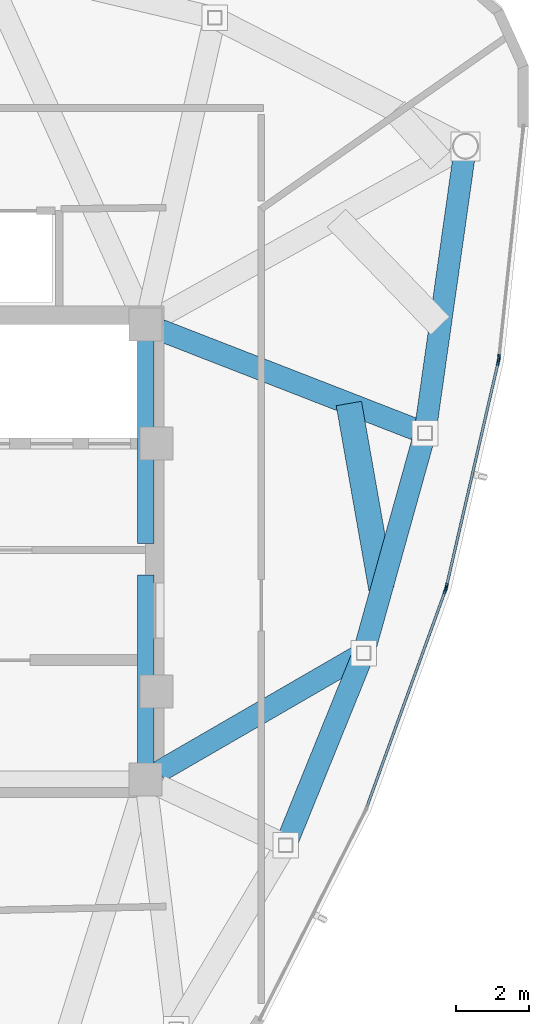
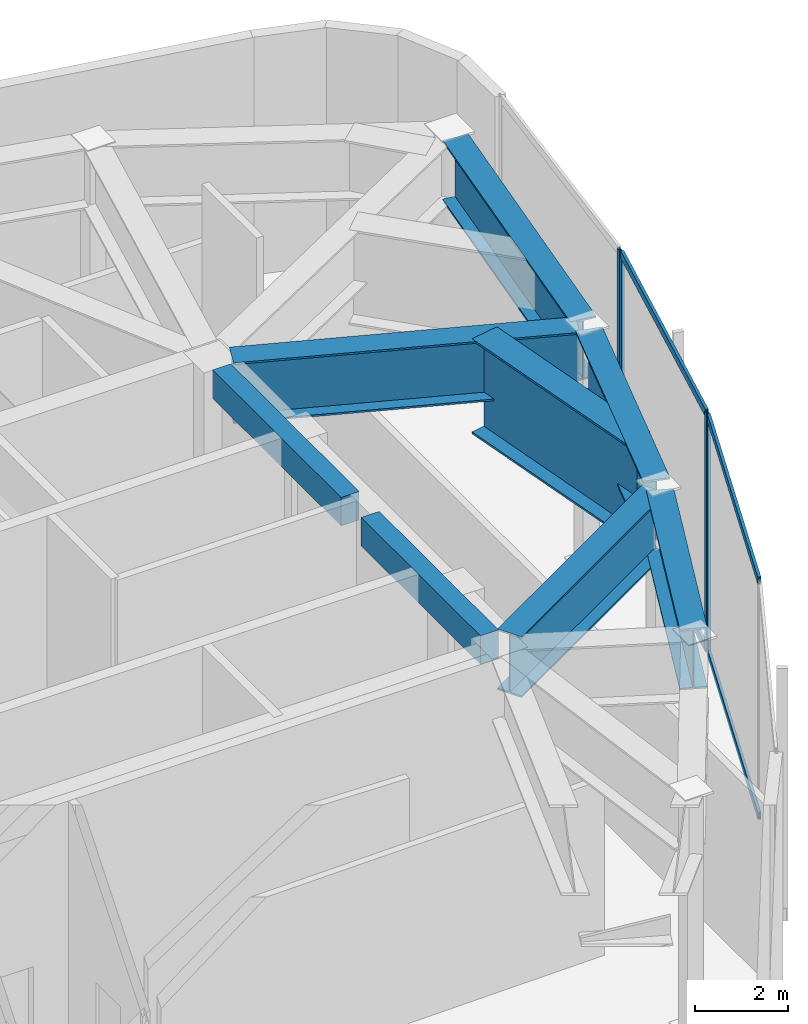
# One storey, part 4 of 13: 8 beams, 8 members, 3 elements without a shape of their own.
"""IFC4 building model written with IfcOpenShell, lengths in metres."""

import ifcopenshell
import ifcopenshell.guid

model = None  # the IFC model being written
_history = None  # IfcOwnerHistory: only IFC2X3 demands one
_inside = {}  # id of a spatial element -> (the spatial element, [elements in it])
_under = {}  # id of a project, library or spatial element -> (it, [spatial elements below it])
_declared = {}  # id of a project -> (the project, [libraries it declares])
_typed = {}  # id of a type object -> (the type object, [elements of that type])
_made_of = {}  # id of a material, layer set ... -> (it, [elements and type objects made of it])


def new_model(schema):
    """Start an empty IFC model of exactly this schema.

    Asked for "IFC4X3", IfcOpenShell would pick the latest addendum, in which some entities
    have other attributes; the version numbers below select the first issue.
    IFC2X3 requires an IfcOwnerHistory on every rooted entity: one is made here for all.
    """
    global model, _history
    if schema == "IFC4X3":
        model = ifcopenshell.file(schema_version=(4, 3, 0, 0))
    else:
        model = ifcopenshell.file(schema=schema)
    _inside.clear()
    _under.clear()
    _declared.clear()
    _typed.clear()
    _made_of.clear()
    _history = None
    if model.schema == "IFC2X3":
        org = make("IfcOrganization", Name="unknown")
        user = make(
            "IfcPersonAndOrganization",
            ThePerson=make("IfcPerson", FamilyName="unknown"),
            TheOrganization=org,
        )
        app = make(
            "IfcApplication",
            ApplicationDeveloper=org,
            Version="unknown",
            ApplicationFullName="unknown",
            ApplicationIdentifier="unknown",
        )
        _history = make(
            "IfcOwnerHistory",
            OwningUser=user,
            OwningApplication=app,
            ChangeAction="ADDED",
            CreationDate=0,
        )
    return model


def make(cls, **values):
    """One entity of the class cls with the attributes given. An attribute that is None is left unset."""
    return model.create_entity(
        cls, **{name: value for name, value in values.items() if value is not None}
    )


def rooted(cls, **values):
    """An entity with a GlobalId (a new one), such as an element, a storey or a relation."""
    return make(cls, GlobalId=ifcopenshell.guid.new(), OwnerHistory=_history, **values)


def si_unit(unit_type, name, prefix=None):
    """IfcSIUnit, for example si_unit("LENGTHUNIT", "METRE", prefix="MILLI")."""
    return make("IfcSIUnit", UnitType=unit_type, Prefix=prefix, Name=name)


def assignment(units):
    """IfcUnitAssignment: the units of a project."""
    return None if units is None else make("IfcUnitAssignment", Units=units)


def point(xyz):
    """IfcCartesianPoint."""
    return None if xyz is None else make("IfcCartesianPoint", Coordinates=xyz)


def direction(xyz):
    """IfcDirection."""
    return None if xyz is None else make("IfcDirection", DirectionRatios=xyz)


def frame(location, z_axis=None, x_axis=None):
    """IfcAxis2Placement3D, a coordinate frame: its origin and axes. An axis left out is left unset."""
    return make(
        "IfcAxis2Placement3D",
        Location=point(location),
        Axis=direction(z_axis),
        RefDirection=direction(x_axis),
    )


def frame_2d(location, x_axis=None):
    """IfcAxis2Placement2D, a coordinate frame in the plane: its origin and x axis."""
    return make(
        "IfcAxis2Placement2D", Location=point(location), RefDirection=direction(x_axis)
    )


def origin():
    """The frame at (0, 0, 0) with its axes left unset."""
    return frame((0.0, 0.0, 0.0))


def origin_2d():
    """The frame at (0, 0) in the plane with its x axis left unset."""
    return frame_2d((0.0, 0.0))


def place(relative_to, where):
    """IfcLocalPlacement: puts the frame where relative to a parent placement (None: the world)."""
    return make(
        "IfcLocalPlacement", PlacementRelTo=relative_to, RelativePlacement=where
    )


def context(
    kind, dimensions, precision=None, world=None, true_north=None, identifier=None
):
    """IfcGeometricRepresentationContext, for example the 3D "Model" context."""
    return make(
        "IfcGeometricRepresentationContext",
        ContextIdentifier=identifier,
        ContextType=kind,
        CoordinateSpaceDimension=dimensions,
        Precision=precision,
        WorldCoordinateSystem=world,
        TrueNorth=true_north,
    )


def subcontext(parent, identifier, kind, view, scale=None):
    """IfcGeometricRepresentationSubContext, for example "Body" below "Model"."""
    return make(
        "IfcGeometricRepresentationSubContext",
        ContextIdentifier=identifier,
        ContextType=kind,
        ParentContext=parent,
        TargetScale=scale,
        TargetView=view,
    )


def project(units=None, contexts=None):
    """IfcProject with its units and contexts."""
    return rooted(
        "IfcProject",
        Name="project",
        RepresentationContexts=contexts,
        UnitsInContext=assignment(units),
    )


def spatial(cls, under=None, at=None, **own):
    """A site, building, storey or space (cls), placed at a placement, below another one or the project."""
    s = rooted(cls, ObjectPlacement=at, **own)
    if under is not None:
        _under.setdefault(under.id(), (under, []))[1].append(s)
    return s


def profile(cls, at=None, kind="AREA", **sizes):
    """A parametric profile (cls). Its sizes go by their IFC names, for example OverallWidth=200.0."""
    return make(cls, ProfileType=kind, Position=at, **sizes)


def rectangle(**sizes):
    """IfcRectangleProfileDef."""
    return profile("IfcRectangleProfileDef", **sizes)


def hollow_rectangle(**sizes):
    """IfcRectangleHollowProfileDef."""
    return profile("IfcRectangleHollowProfileDef", **sizes)


def i_section(**sizes):
    """IfcIShapeProfileDef."""
    return profile("IfcIShapeProfileDef", **sizes)


def extrude(swept, where, along, depth):
    """IfcExtrudedAreaSolid: the profile swept, set in the frame where, extruded along a direction by depth."""
    return make(
        "IfcExtrudedAreaSolid",
        SweptArea=swept,
        Position=where,
        ExtrudedDirection=direction(along),
        Depth=depth,
    )


def shape(context_of_items, identifier, shape_type, items):
    """IfcShapeRepresentation: the items that make up one representation, for example the "Body"."""
    return make(
        "IfcShapeRepresentation",
        ContextOfItems=context_of_items,
        RepresentationIdentifier=identifier,
        RepresentationType=shape_type,
        Items=items,
    )


def source(mapping_origin, context_of_items, identifier, shape_type, items):
    """IfcRepresentationMap: a shape defined once, which mapped items show again and again."""
    return make(
        "IfcRepresentationMap",
        MappingOrigin=mapping_origin,
        MappedRepresentation=shape(context_of_items, identifier, shape_type, items),
    )


def transform(
    local_origin,
    x_axis=None,
    y_axis=None,
    z_axis=None,
    scale=None,
    scale2=None,
    scale3=None,
    uniform=True,
):
    """IfcCartesianTransformationOperator3D, or its non-uniform kind. x_axis, y_axis, z_axis: its Axis1, 2, 3."""
    if uniform:
        return make(
            "IfcCartesianTransformationOperator3D",
            Axis1=direction(x_axis),
            Axis2=direction(y_axis),
            LocalOrigin=point(local_origin),
            Scale=scale,
            Axis3=direction(z_axis),
        )
    return make(
        "IfcCartesianTransformationOperator3DnonUniform",
        Axis1=direction(x_axis),
        Axis2=direction(y_axis),
        LocalOrigin=point(local_origin),
        Scale=scale,
        Axis3=direction(z_axis),
        Scale2=scale2,
        Scale3=scale3,
    )


def mapped(mapping_source, mapping_target):
    """IfcMappedItem: shows the shape of a source again, moved by a transform."""
    return make(
        "IfcMappedItem", MappingSource=mapping_source, MappingTarget=mapping_target
    )


def material(Name=None, Category=None):
    """IfcMaterial."""
    return make("IfcMaterial", Name=Name, Category=Category)


def layer(
    of_material, thickness, ventilated=None, Name=None, Category=None, Priority=None
):
    """IfcMaterialLayer: one layer of a wall or slab, of a material (None: an air gap)."""
    return make(
        "IfcMaterialLayer",
        Material=of_material,
        LayerThickness=thickness,
        IsVentilated=ventilated,
        Name=Name,
        Category=Category,
        Priority=Priority,
    )


def layer_set(layers, Name=None):
    """IfcMaterialLayerSet."""
    return make("IfcMaterialLayerSet", MaterialLayers=layers, LayerSetName=Name)


def material_profile(
    of_material, cross_section, Name=None, Category=None, Priority=None
):
    """IfcMaterialProfile: a cross section and its material."""
    return make(
        "IfcMaterialProfile",
        Name=Name,
        Material=of_material,
        Profile=cross_section,
        Priority=Priority,
        Category=Category,
    )


def profile_set(profiles, Name=None, composite=None):
    """IfcMaterialProfileSet."""
    return make(
        "IfcMaterialProfileSet",
        Name=Name,
        MaterialProfiles=profiles,
        CompositeProfile=composite,
    )


def made_of(thing, what):
    """Note that an element or type object is made of a material, layer set ...; save() writes the relation."""
    if what is not None:
        _made_of.setdefault(what.id(), (what, []))[1].append(thing)
    return thing


def type_object(cls, material=None, **own):
    """A type object (cls), such as IfcWallType, which elements share."""
    return made_of(rooted(cls, **own), material)


def type_shapes(of_type, sources):
    """Give a type object the sources (RepresentationMaps) that its elements show as mapped items."""
    of_type.RepresentationMaps = sources


def element(
    cls,
    number,
    at=None,
    inside=None,
    cuts=None,
    type_object=None,
    material=None,
    context=None,
    identifier="Body",
    shape_type=None,
    held_by="IfcProductDefinitionShape",
    body=None,
    shapes=None,
    **own,
):
    """One element of the class cls, such as IfcWall. Its Tag is "e" and its number.

    at: its placement. inside: the storey or other place that contains it. cuts: it is an
    opening in that element (IfcRelVoidsElement). A single representation is given by context,
    identifier, shape_type and body (its items); several are given by shapes. held_by: the class
    of the entity that holds the representations. save() writes the other relations.
    """
    e = rooted(cls, Tag="e%d" % number, ObjectPlacement=at, **own)
    if body is not None:
        shapes = [shape(context, identifier, shape_type, body)]
    if shapes is not None:
        e.Representation = make(held_by, Representations=shapes)
    if inside is not None:
        _inside.setdefault(inside.id(), (inside, []))[1].append(e)
    if cuts is not None:
        rooted(
            "IfcRelVoidsElement", RelatingBuildingElement=cuts, RelatedOpeningElement=e
        )
    if type_object is not None:
        _typed.setdefault(type_object.id(), (type_object, []))[1].append(e)
    return made_of(e, material)


def aggregate(whole, parts):
    """IfcRelAggregates: a whole, such as a stair, and the parts it consists of."""
    return rooted("IfcRelAggregates", RelatingObject=whole, RelatedObjects=parts)


def save(model, path):
    """Write the relations noted so far, then the file.

    IfcRelAggregates (storeys below a building ...), IfcRelContainedInSpatialStructure (elements
    in a storey), IfcRelDefinesByType, IfcRelAssociatesMaterial and IfcRelDeclares: one each for
    every whole, place, type object, material and project.
    """
    for whole, parts in _under.values():
        aggregate(whole, parts)
    for where, things in _inside.values():
        rooted(
            "IfcRelContainedInSpatialStructure",
            RelatedElements=things,
            RelatingStructure=where,
        )
    for kind, things in _typed.values():
        rooted("IfcRelDefinesByType", RelatedObjects=things, RelatingType=kind)
    for what, things in _made_of.values():
        rooted("IfcRelAssociatesMaterial", RelatedObjects=things, RelatingMaterial=what)
    for by, libraries in _declared.values():
        rooted("IfcRelDeclares", RelatingContext=by, RelatedDefinitions=libraries)
    model.write(path)


model = new_model("IFC4")

# Units and contexts
model_context = context("Model", 3, precision=1e-05, world=origin(), true_north=direction((0.0, 1.0)))
body_context = subcontext(model_context, "Body", "Model", "MODEL_VIEW")
ifc_project = project(units=[si_unit("LENGTHUNIT", "METRE"), si_unit("AREAUNIT", "SQUARE_METRE"), si_unit("VOLUMEUNIT", "CUBIC_METRE"), si_unit("PLANEANGLEUNIT", "RADIAN"), si_unit("MASSUNIT", "GRAM", prefix="KILO")], contexts=[model_context])

# Site, building, storey
site_placement = place(None, origin())
site = spatial("IfcSite", under=ifc_project, at=site_placement, CompositionType="ELEMENT")
building_placement = place(site_placement, origin())
building = spatial("IfcBuilding", under=site, at=building_placement, Name="Tavelor Broadcast Tower", CompositionType="ELEMENT")
storey_placement = place(building_placement, frame((0.0, 0.0, 325.5)))
storey = spatial("IfcBuildingStorey", under=building, at=storey_placement, Name="L78", CompositionType="ELEMENT", Elevation=325.5)

# Beams
ifc_material_1 = material(Name="Concrete C40/50", Category="concrete")
ifc_material_profile_1 = material_profile(ifc_material_1, rectangle(XDim=0.449951171875, YDim=0.75, at=origin_2d()), Name="RC 450x750")
ifc_profile_set_1 = profile_set([ifc_material_profile_1], Name="Concrete C40/50")
beam_type_1 = type_object("IfcBeamType", Name="Basement Core Trim Beam 450x750", PredefinedType="BEAM", material=ifc_profile_set_1)
beam_1_placement = place(storey_placement, frame((56.60009765625, 45.23193359375, 5.875), z_axis=(0.0, 1.0, 0.0), x_axis=(-1.0, 0.0, 0.0)))
element("IfcBeam", 1, at=beam_1_placement, inside=storey, type_object=beam_type_1, Name="L78 Core East-N Tie Girder", PredefinedType="BEAM", context=body_context, shape_type="SweptSolid", body=[
    extrude(rectangle(XDim=0.449951171875, YDim=0.75, at=origin_2d()), origin(), (0.0, 0.0, 1.0), 5.5361328125),
])
beam_2_placement = place(storey_placement, frame((56.60009765625, 39.23193359375, 5.875), z_axis=(0.0, 1.0, 0.0), x_axis=(-1.0, 0.0, 0.0)))
element("IfcBeam", 2, at=beam_2_placement, inside=storey, type_object=beam_type_1, Name="L78 Core East-S Tie Girder", PredefinedType="BEAM", context=body_context, shape_type="SweptSolid", body=[
    extrude(rectangle(XDim=0.449951171875, YDim=0.75, at=origin_2d()), origin(), (0.0, 0.0, 1.0), 5.135986328125),
])
ifc_material_2 = material(Name="Steel S460", Category="steel")
ifc_material_profile_2 = material_profile(ifc_material_2, i_section(OverallWidth=0.60009765625, OverallDepth=1.60009765625, WebThickness=0.028076171875, FlangeThickness=0.048095703125, at=origin_2d()), Name="PG 1600x600")
ifc_profile_set_2 = profile_set([ifc_material_profile_2], Name="Steel S460")
beam_type_2 = type_object("IfcBeamType", Name="Crown and Spire Transfer Girder PG1600", PredefinedType="BEAM", material=ifc_profile_set_2)
beam_3_placement = place(storey_placement, frame((60.48974609375, 37.182373046875, 5.449951171875), z_axis=(0.376276339412, 0.926507483186, 0.0), x_axis=(-0.926507483186, 0.376276339412, 0.0)))
element("IfcBeam", 3, at=beam_3_placement, inside=storey, type_object=beam_type_2, Name="L78 Framed-Tube Ring Spandrel 10", PredefinedType="BEAM", context=body_context, shape_type="SweptSolid", body=[
    extrude(i_section(OverallWidth=0.60009765625, OverallDepth=1.60009765625, WebThickness=0.028076171875, FlangeThickness=0.048095703125, at=origin_2d()), origin(), (0.0, 0.0, 1.0), 5.267333984375),
])
beam_4_placement = place(storey_placement, frame((62.59521484375, 42.425537109375, 5.449951171875), z_axis=(0.268372403698, 0.963315240684, 0.0), x_axis=(-0.963315240684, 0.268372403698, 0.0)))
element("IfcBeam", 4, at=beam_4_placement, inside=storey, type_object=beam_type_2, Name="L78 Framed-Tube Ring Spandrel 11", PredefinedType="BEAM", context=body_context, shape_type="SweptSolid", body=[
    extrude(i_section(OverallWidth=0.60009765625, OverallDepth=1.60009765625, WebThickness=0.028076171875, FlangeThickness=0.048095703125, at=origin_2d()), origin(), (0.0, 0.0, 1.0), 5.84130859375),
])
beam_5_placement = place(storey_placement, frame((64.2412109375, 48.427490234375, 5.449951171875), z_axis=(0.139963539529, 0.990156658111, 0.0), x_axis=(-0.990156658111, 0.139963539529, 0.0)))
element("IfcBeam", 5, at=beam_5_placement, inside=storey, type_object=beam_type_2, Name="L78 Framed-Tube Ring Spandrel 12", PredefinedType="BEAM", context=body_context, shape_type="SweptSolid", body=[
    extrude(i_section(OverallWidth=0.60009765625, OverallDepth=1.60009765625, WebThickness=0.028076171875, FlangeThickness=0.048095703125, at=origin_2d()), origin(), (0.0, 0.0, 1.0), 7.36279296875),
])
beam_6_placement = place(storey_placement, frame((56.973876953125, 39.016357421875, 5.449951171875), z_axis=(0.865467330789, 0.500965367402, 0.0), x_axis=(-0.500965367402, 0.865467330789, 0.0)))
element("IfcBeam", 6, at=beam_6_placement, inside=storey, type_object=beam_type_2, Name="L78 Radial Primary Floor Girder 11", PredefinedType="BEAM", context=body_context, shape_type="SweptSolid", body=[
    extrude(i_section(OverallWidth=0.60009765625, OverallDepth=1.60009765625, WebThickness=0.028076171875, FlangeThickness=0.048095703125, at=origin_2d()), origin(), (0.0, 0.0, 1.0), 6.243896484375),
])
beam_7_placement = place(storey_placement, frame((57.002685546875, 51.04345703125, 5.449951171875), z_axis=(0.931931795654, -0.362633600552, 0.0), x_axis=(0.362633600552, 0.931931795654, 0.0)))
element("IfcBeam", 7, at=beam_7_placement, inside=storey, type_object=beam_type_2, Name="L78 Radial Primary Floor Girder 12", PredefinedType="BEAM", context=body_context, shape_type="SweptSolid", body=[
    extrude(i_section(OverallWidth=0.60009765625, OverallDepth=1.60009765625, WebThickness=0.028076171875, FlangeThickness=0.048095703125, at=origin_2d()), origin(), (0.0, 0.0, 1.0), 7.54638671875),
])
ifc_material_profile_3 = material_profile(ifc_material_2, i_section(OverallWidth=0.699951171875, OverallDepth=2.5, WebThickness=0.031982421875, FlangeThickness=0.052001953125, at=origin_2d()), Name="PG 2500x700")
ifc_profile_set_3 = profile_set([ifc_material_profile_3], Name="Steel S460")
beam_type_3 = type_object("IfcBeamType", Name="Opposite Slide Transfer Girder HEB900", PredefinedType="BEAM", material=ifc_profile_set_3)
beam_8_placement = place(storey_placement, frame((63.031005859375, 43.98974609375, 5.0), z_axis=(-0.17360896089, 0.984814667183, 0.0), x_axis=(-0.984814667183, -0.17360896089, 0.0)))
element("IfcBeam", 8, at=beam_8_placement, inside=storey, type_object=beam_type_3, Name="L78 Transfer Header Girder 04", PredefinedType="BEAM", context=body_context, shape_type="SweptSolid", body=[
    extrude(i_section(OverallWidth=0.699951171875, OverallDepth=2.5, WebThickness=0.031982421875, FlangeThickness=0.052001953125, at=origin_2d()), origin(), (0.0, 0.0, 1.0), 5.1328125),
])

# Curtain wall, member
ifc_material_3 = material(Name="Architectural Anodized Aluminium", Category="aluminium")
ifc_layer = layer(ifc_material_3, 0.199951171875)
ifc_layer_set = layer_set([ifc_layer], Name="Architectural Anodized Aluminium")
curtain_wall_type = type_object("IfcCurtainWallType", Name="Tower High-Zone Triple-Glazed Curtain Wall CW04", PredefinedType="NOTDEFINED", material=ifc_layer_set)
curtain_wall_1_placement = place(storey_placement, origin())
curtain_wall_1 = element("IfcCurtainWall", 9, at=curtain_wall_1_placement, inside=storey, type_object=curtain_wall_type, Name="L78 Curtain Wall CW04 Run 870", PredefinedType="NOTDEFINED")
ifc_material_profile_4 = material_profile(ifc_material_3, hollow_rectangle(XDim=0.070068359375, YDim=0.199951171875, WallThickness=0.02197265625, at=origin_2d()), Name="RHS 70x200x22")
ifc_profile_set_4 = profile_set([ifc_material_profile_4], Name="Architectural Anodized Aluminium")
member_type_1 = type_object("IfcMemberType", Name="CW04 Extruded Aluminium Mullion 70x200", PredefinedType="MULLION", material=ifc_profile_set_4)
shared_shape_1 = source(origin(), body_context, "Body", "SweptSolid", [
    extrude(hollow_rectangle(XDim=0.070068359375, YDim=0.199951171875, WallThickness=0.02197265625, at=origin_2d()), origin(), (0.0, 0.0, 1.0), 6.25),
])
type_shapes(member_type_1, [shared_shape_1])
member_1_placement = place(storey_placement, frame((64.770263671875, 43.951904296875, 0.0), z_axis=(0.0, 0.0, 1.0), x_axis=(-0.940140154662, 0.340788042033, 0.0)))
member_1 = element("IfcMember", 10, at=member_1_placement, type_object=member_type_1, Name="CW04 mullion 2", PredefinedType="MULLION", context=body_context, shape_type="MappedRepresentation", body=[
    mapped(shared_shape_1, transform((0.0, 0.0, 0.0), scale=1.0)),
])

# Curtain wall, members
curtain_wall_2_placement = place(storey_placement, origin())
curtain_wall_2 = element("IfcCurtainWall", 11, at=curtain_wall_2_placement, inside=storey, type_object=curtain_wall_type, Name="L78 Curtain Wall CW04 Run 871", PredefinedType="NOTDEFINED")
member_2_placement = place(storey_placement, frame((64.798583984375, 44.047607421875, 0.0), z_axis=(0.0, 0.0, 1.0), x_axis=(-0.974472416466, 0.224507259451, 0.0)))
member_2 = element("IfcMember", 12, at=member_2_placement, type_object=member_type_1, Name="CW04 mullion 1", PredefinedType="MULLION", context=body_context, shape_type="MappedRepresentation", body=[
    mapped(shared_shape_1, transform((0.0, 0.0, 0.0), scale=1.0)),
])
member_3_placement = place(storey_placement, frame((66.212158203125, 50.182373046875, 0.0), z_axis=(0.0, 0.0, 1.0), x_axis=(-0.974472416466, 0.224507259451, 0.0)))
member_3 = element("IfcMember", 13, at=member_3_placement, type_object=member_type_1, Name="CW04 mullion 2", PredefinedType="MULLION", context=body_context, shape_type="MappedRepresentation", body=[
    mapped(shared_shape_1, transform((0.0, 0.0, 0.0), scale=1.0)),
])

# Curtain wall, member
curtain_wall_3_placement = place(storey_placement, origin())
curtain_wall_3 = element("IfcCurtainWall", 14, at=curtain_wall_3_placement, inside=storey, type_object=curtain_wall_type, Name="L78 Curtain Wall CW04 Run 872", PredefinedType="NOTDEFINED")
member_4_placement = place(storey_placement, frame((66.228515625, 50.281005859375, 0.0), z_axis=(0.0, 0.0, 1.0), x_axis=(-0.994478027793, 0.104944996248, 0.0)))
member_4 = element("IfcMember", 15, at=member_4_placement, type_object=member_type_1, Name="CW04 mullion 1", PredefinedType="MULLION", context=body_context, shape_type="MappedRepresentation", body=[
    mapped(shared_shape_1, transform((0.0, 0.0, 0.0), scale=1.0)),
])
aggregate(curtain_wall_3, [member_4])

# Member
ifc_material_profile_5 = material_profile(ifc_material_3, hollow_rectangle(XDim=0.070068359375, YDim=0.199951171875, WallThickness=0.02197265625, at=origin_2d()), Name="RHS 70x200x22")
ifc_profile_set_5 = profile_set([ifc_material_profile_5], Name="Architectural Anodized Aluminium")
member_type_2 = type_object("IfcMemberType", Name="CW04 Extruded Aluminium Transom 70x200", PredefinedType="USERDEFINED", material=ifc_profile_set_5)
shared_shape_2 = source(origin(), body_context, "Body", "SweptSolid", [
    extrude(hollow_rectangle(XDim=0.070068359375, YDim=0.199951171875, WallThickness=0.02197265625, at=origin_2d()), origin(), (0.0, 0.0, 1.0), 6.225341796875),
])
type_shapes(member_type_2, [shared_shape_2])
member_5_placement = place(storey_placement, frame((62.636962890625, 38.066162109375, 0.034912109375), z_axis=(0.340791957981, 0.940138735175, 0.0), x_axis=(-0.940138735175, 0.340791957981, 0.0)))
member_5 = element("IfcMember", 16, at=member_5_placement, type_object=member_type_2, Name="CW04 transom 1.1", ObjectType="TRANSOM", PredefinedType="USERDEFINED", context=body_context, shape_type="MappedRepresentation", body=[
    mapped(shared_shape_2, transform((0.0, 0.0, 0.0), scale=1.0)),
])

member_6_placement = place(storey_placement, frame((62.636962890625, 38.066162109375, 6.215087890625), z_axis=(0.340791957981, 0.940138735175, 0.0), x_axis=(-0.940138735175, 0.340791957981, 0.0)))
member_6 = element("IfcMember", 17, at=member_6_placement, type_object=member_type_2, Name="CW04 transom 1.2", ObjectType="TRANSOM", PredefinedType="USERDEFINED", context=body_context, shape_type="MappedRepresentation", body=[
    mapped(shared_shape_2, transform((0.0, 0.0, 0.0), scale=1.0)),
])

aggregate(curtain_wall_1, [member_1, member_5, member_6])

member_7_placement = place(storey_placement, frame((64.806396484375, 44.081787109375, 0.034912109375), z_axis=(0.224518655535, 0.974469790869, 0.0), x_axis=(-0.974469790869, 0.224518655535, 0.0)))
member_7 = element("IfcMember", 18, at=member_7_placement, type_object=member_type_2, Name="CW04 transom 1.1", ObjectType="TRANSOM", PredefinedType="USERDEFINED", context=body_context, shape_type="MappedRepresentation", body=[
    mapped(shared_shape_2, transform((0.0, 0.0, 0.0), scale=1.0)),
])

member_8_placement = place(storey_placement, frame((64.806396484375, 44.081787109375, 6.215087890625), z_axis=(0.224518655535, 0.974469790869, 0.0), x_axis=(-0.974469790869, 0.224518655535, 0.0)))
member_8 = element("IfcMember", 19, at=member_8_placement, type_object=member_type_2, Name="CW04 transom 1.2", ObjectType="TRANSOM", PredefinedType="USERDEFINED", context=body_context, shape_type="MappedRepresentation", body=[
    mapped(shared_shape_2, transform((0.0, 0.0, 0.0), scale=1.0)),
])

aggregate(curtain_wall_2, [member_2, member_3, member_7, member_8])

save(model, "model.ifc")
